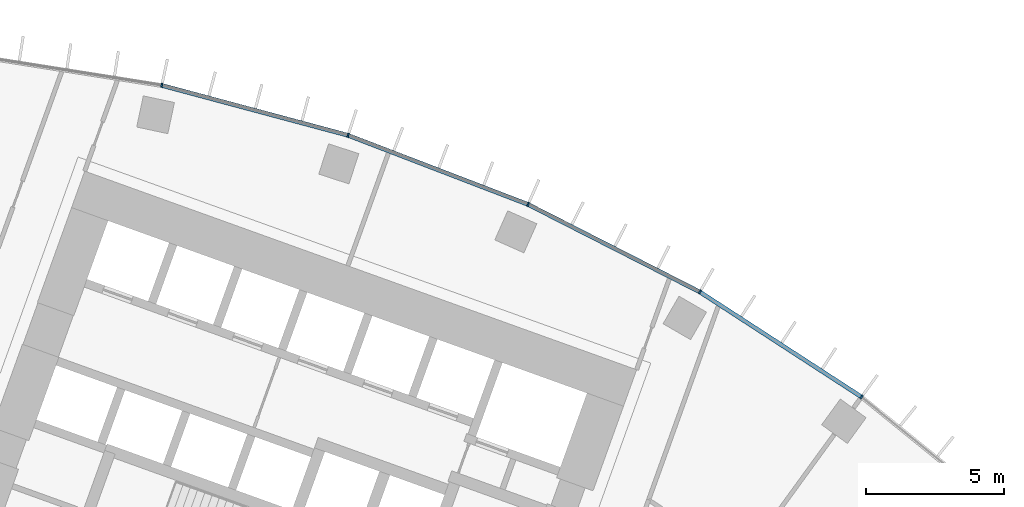
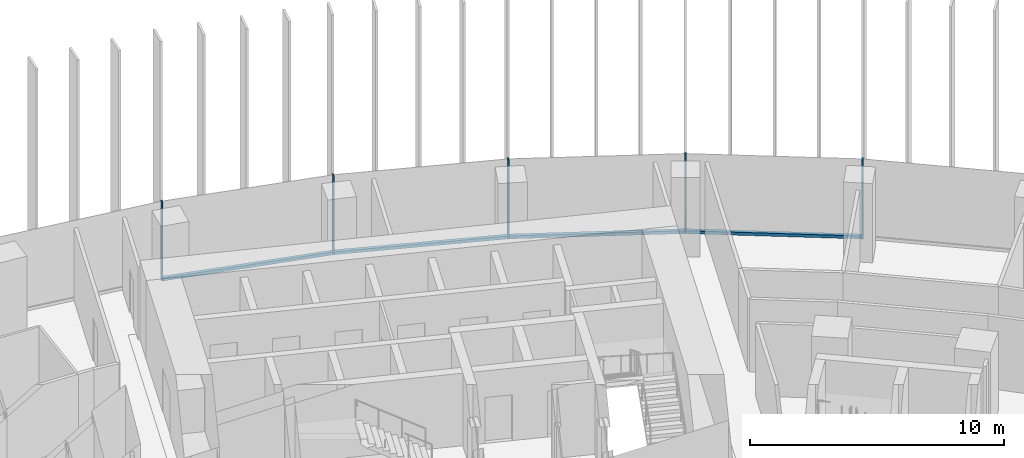
# One storey, part 10 of 21: 9 members, 1 element without a shape of its own.
"""IFC4 building model written with IfcOpenShell, lengths in metres."""

import ifcopenshell
import ifcopenshell.guid

model = None  # the IFC model being written
_history = None  # IfcOwnerHistory: only IFC2X3 demands one
_inside = {}  # id of a spatial element -> (the spatial element, [elements in it])
_under = {}  # id of a project, library or spatial element -> (it, [spatial elements below it])
_declared = {}  # id of a project -> (the project, [libraries it declares])
_typed = {}  # id of a type object -> (the type object, [elements of that type])
_made_of = {}  # id of a material, layer set ... -> (it, [elements and type objects made of it])


def new_model(schema):
    """Start an empty IFC model of exactly this schema.

    Asked for "IFC4X3", IfcOpenShell would pick the latest addendum, in which some entities
    have other attributes; the version numbers below select the first issue.
    IFC2X3 requires an IfcOwnerHistory on every rooted entity: one is made here for all.
    """
    global model, _history
    if schema == "IFC4X3":
        model = ifcopenshell.file(schema_version=(4, 3, 0, 0))
    else:
        model = ifcopenshell.file(schema=schema)
    _inside.clear()
    _under.clear()
    _declared.clear()
    _typed.clear()
    _made_of.clear()
    _history = None
    if model.schema == "IFC2X3":
        org = make("IfcOrganization", Name="unknown")
        user = make(
            "IfcPersonAndOrganization",
            ThePerson=make("IfcPerson", FamilyName="unknown"),
            TheOrganization=org,
        )
        app = make(
            "IfcApplication",
            ApplicationDeveloper=org,
            Version="unknown",
            ApplicationFullName="unknown",
            ApplicationIdentifier="unknown",
        )
        _history = make(
            "IfcOwnerHistory",
            OwningUser=user,
            OwningApplication=app,
            ChangeAction="ADDED",
            CreationDate=0,
        )
    return model


def make(cls, **values):
    """One entity of the class cls with the attributes given. An attribute that is None is left unset."""
    return model.create_entity(
        cls, **{name: value for name, value in values.items() if value is not None}
    )


def rooted(cls, **values):
    """An entity with a GlobalId (a new one), such as an element, a storey or a relation."""
    return make(cls, GlobalId=ifcopenshell.guid.new(), OwnerHistory=_history, **values)


def si_unit(unit_type, name, prefix=None):
    """IfcSIUnit, for example si_unit("LENGTHUNIT", "METRE", prefix="MILLI")."""
    return make("IfcSIUnit", UnitType=unit_type, Prefix=prefix, Name=name)


def assignment(units):
    """IfcUnitAssignment: the units of a project."""
    return None if units is None else make("IfcUnitAssignment", Units=units)


def point(xyz):
    """IfcCartesianPoint."""
    return None if xyz is None else make("IfcCartesianPoint", Coordinates=xyz)


def direction(xyz):
    """IfcDirection."""
    return None if xyz is None else make("IfcDirection", DirectionRatios=xyz)


def frame(location, z_axis=None, x_axis=None):
    """IfcAxis2Placement3D, a coordinate frame: its origin and axes. An axis left out is left unset."""
    return make(
        "IfcAxis2Placement3D",
        Location=point(location),
        Axis=direction(z_axis),
        RefDirection=direction(x_axis),
    )


def frame_2d(location, x_axis=None):
    """IfcAxis2Placement2D, a coordinate frame in the plane: its origin and x axis."""
    return make(
        "IfcAxis2Placement2D", Location=point(location), RefDirection=direction(x_axis)
    )


def origin():
    """The frame at (0, 0, 0) with its axes left unset."""
    return frame((0.0, 0.0, 0.0))


def origin_2d():
    """The frame at (0, 0) in the plane with its x axis left unset."""
    return frame_2d((0.0, 0.0))


def place(relative_to, where):
    """IfcLocalPlacement: puts the frame where relative to a parent placement (None: the world)."""
    return make(
        "IfcLocalPlacement", PlacementRelTo=relative_to, RelativePlacement=where
    )


def context(
    kind, dimensions, precision=None, world=None, true_north=None, identifier=None
):
    """IfcGeometricRepresentationContext, for example the 3D "Model" context."""
    return make(
        "IfcGeometricRepresentationContext",
        ContextIdentifier=identifier,
        ContextType=kind,
        CoordinateSpaceDimension=dimensions,
        Precision=precision,
        WorldCoordinateSystem=world,
        TrueNorth=true_north,
    )


def subcontext(parent, identifier, kind, view, scale=None):
    """IfcGeometricRepresentationSubContext, for example "Body" below "Model"."""
    return make(
        "IfcGeometricRepresentationSubContext",
        ContextIdentifier=identifier,
        ContextType=kind,
        ParentContext=parent,
        TargetScale=scale,
        TargetView=view,
    )


def project(units=None, contexts=None):
    """IfcProject with its units and contexts."""
    return rooted(
        "IfcProject",
        Name="project",
        RepresentationContexts=contexts,
        UnitsInContext=assignment(units),
    )


def spatial(cls, under=None, at=None, **own):
    """A site, building, storey or space (cls), placed at a placement, below another one or the project."""
    s = rooted(cls, ObjectPlacement=at, **own)
    if under is not None:
        _under.setdefault(under.id(), (under, []))[1].append(s)
    return s


def profile(cls, at=None, kind="AREA", **sizes):
    """A parametric profile (cls). Its sizes go by their IFC names, for example OverallWidth=200.0."""
    return make(cls, ProfileType=kind, Position=at, **sizes)


def rectangle(**sizes):
    """IfcRectangleProfileDef."""
    return profile("IfcRectangleProfileDef", **sizes)


def extrude(swept, where, along, depth):
    """IfcExtrudedAreaSolid: the profile swept, set in the frame where, extruded along a direction by depth."""
    return make(
        "IfcExtrudedAreaSolid",
        SweptArea=swept,
        Position=where,
        ExtrudedDirection=direction(along),
        Depth=depth,
    )


def shape(context_of_items, identifier, shape_type, items):
    """IfcShapeRepresentation: the items that make up one representation, for example the "Body"."""
    return make(
        "IfcShapeRepresentation",
        ContextOfItems=context_of_items,
        RepresentationIdentifier=identifier,
        RepresentationType=shape_type,
        Items=items,
    )


def material(Name=None, Category=None):
    """IfcMaterial."""
    return make("IfcMaterial", Name=Name, Category=Category)


def layer(
    of_material, thickness, ventilated=None, Name=None, Category=None, Priority=None
):
    """IfcMaterialLayer: one layer of a wall or slab, of a material (None: an air gap)."""
    return make(
        "IfcMaterialLayer",
        Material=of_material,
        LayerThickness=thickness,
        IsVentilated=ventilated,
        Name=Name,
        Category=Category,
        Priority=Priority,
    )


def layer_set(layers, Name=None):
    """IfcMaterialLayerSet."""
    return make("IfcMaterialLayerSet", MaterialLayers=layers, LayerSetName=Name)


def material_profile(
    of_material, cross_section, Name=None, Category=None, Priority=None
):
    """IfcMaterialProfile: a cross section and its material."""
    return make(
        "IfcMaterialProfile",
        Name=Name,
        Material=of_material,
        Profile=cross_section,
        Priority=Priority,
        Category=Category,
    )


def profile_set(profiles, Name=None, composite=None):
    """IfcMaterialProfileSet."""
    return make(
        "IfcMaterialProfileSet",
        Name=Name,
        MaterialProfiles=profiles,
        CompositeProfile=composite,
    )


def made_of(thing, what):
    """Note that an element or type object is made of a material, layer set ...; save() writes the relation."""
    if what is not None:
        _made_of.setdefault(what.id(), (what, []))[1].append(thing)
    return thing


def type_object(cls, material=None, **own):
    """A type object (cls), such as IfcWallType, which elements share."""
    return made_of(rooted(cls, **own), material)


def element(
    cls,
    number,
    at=None,
    inside=None,
    cuts=None,
    type_object=None,
    material=None,
    context=None,
    identifier="Body",
    shape_type=None,
    held_by="IfcProductDefinitionShape",
    body=None,
    shapes=None,
    **own,
):
    """One element of the class cls, such as IfcWall. Its Tag is "e" and its number.

    at: its placement. inside: the storey or other place that contains it. cuts: it is an
    opening in that element (IfcRelVoidsElement). A single representation is given by context,
    identifier, shape_type and body (its items); several are given by shapes. held_by: the class
    of the entity that holds the representations. save() writes the other relations.
    """
    e = rooted(cls, Tag="e%d" % number, ObjectPlacement=at, **own)
    if body is not None:
        shapes = [shape(context, identifier, shape_type, body)]
    if shapes is not None:
        e.Representation = make(held_by, Representations=shapes)
    if inside is not None:
        _inside.setdefault(inside.id(), (inside, []))[1].append(e)
    if cuts is not None:
        rooted(
            "IfcRelVoidsElement", RelatingBuildingElement=cuts, RelatedOpeningElement=e
        )
    if type_object is not None:
        _typed.setdefault(type_object.id(), (type_object, []))[1].append(e)
    return made_of(e, material)


def aggregate(whole, parts):
    """IfcRelAggregates: a whole, such as a stair, and the parts it consists of."""
    return rooted("IfcRelAggregates", RelatingObject=whole, RelatedObjects=parts)


def save(model, path):
    """Write the relations noted so far, then the file.

    IfcRelAggregates (storeys below a building ...), IfcRelContainedInSpatialStructure (elements
    in a storey), IfcRelDefinesByType, IfcRelAssociatesMaterial and IfcRelDeclares: one each for
    every whole, place, type object, material and project.
    """
    for whole, parts in _under.values():
        aggregate(whole, parts)
    for where, things in _inside.values():
        rooted(
            "IfcRelContainedInSpatialStructure",
            RelatedElements=things,
            RelatingStructure=where,
        )
    for kind, things in _typed.values():
        rooted("IfcRelDefinesByType", RelatedObjects=things, RelatingType=kind)
    for what, things in _made_of.values():
        rooted("IfcRelAssociatesMaterial", RelatedObjects=things, RelatingMaterial=what)
    for by, libraries in _declared.values():
        rooted("IfcRelDeclares", RelatingContext=by, RelatedDefinitions=libraries)
    model.write(path)


model = new_model("IFC4")

# Units and contexts
model_context = context("Model", 3, precision=1e-05, world=origin(), true_north=direction((0.0, 1.0)))
body_context = subcontext(model_context, "Body", "Model", "MODEL_VIEW")
ifc_project = project(units=[si_unit("LENGTHUNIT", "METRE"), si_unit("AREAUNIT", "SQUARE_METRE"), si_unit("VOLUMEUNIT", "CUBIC_METRE"), si_unit("PLANEANGLEUNIT", "RADIAN"), si_unit("MASSUNIT", "GRAM", prefix="KILO")], contexts=[model_context])

# Site, building, storey
site_placement = place(None, origin())
site = spatial("IfcSite", under=ifc_project, at=site_placement, CompositionType="ELEMENT")
building_placement = place(site_placement, origin())
building = spatial("IfcBuilding", under=site, at=building_placement, Name="Stone Belt Terrace Tower", CompositionType="ELEMENT")
storey_placement = place(building_placement, frame((0.0, 0.0, 87.0)))
storey = spatial("IfcBuildingStorey", under=building, at=storey_placement, Name="L20", CompositionType="ELEMENT", Elevation=87.0)

# Curtain wall, members
ifc_material = material(Name="Aluminium 6063-T6 anodised frame", Category="aluminium")
ifc_layer = layer(ifc_material, 0.14990234375)
ifc_layer_set = layer_set([ifc_layer], Name="CW-A unitised convex-face curtain wall")
curtain_wall_type = type_object("IfcCurtainWallType", Name="CW-A unitised convex-face curtain wall", PredefinedType="NOTDEFINED", material=ifc_layer_set)
curtain_wall_placement = place(storey_placement, origin())
curtain_wall = element("IfcCurtainWall", 1, at=curtain_wall_placement, inside=storey, type_object=curtain_wall_type, Name="CW-A convex face L20", PredefinedType="NOTDEFINED")
ifc_material_profile_1 = material_profile(ifc_material, rectangle(XDim=0.14990234375, YDim=0.06005859375, at=origin_2d()), Name="Aluminium 6063-T6 60x150")
ifc_profile_set_1 = profile_set([ifc_material_profile_1], Name="Aluminium 6063-T6 anodised frame")
member_type_1 = type_object("IfcMemberType", Name="CW-A mullion 60 x 150", PredefinedType="MULLION", material=ifc_profile_set_1)
member_1_placement = place(storey_placement, frame((39.1318359375, 53.8603515625, 0.0), z_axis=(0.0, 0.0, 1.0), x_axis=(-0.587785252292, -0.809016994375, 0.0)))
member_1 = element("IfcMember", 2, at=member_1_placement, type_object=member_type_1, Name="CW-A mullion 4", PredefinedType="MULLION", context=body_context, shape_type="SweptSolid", body=[
    extrude(rectangle(XDim=0.14990234375, YDim=0.06005859375, at=origin_2d()), origin(), (0.0, 0.0, 1.0), 3.800048828125),
])
member_2_placement = place(storey_placement, frame((33.28759765625, 57.65576171875, 0.0), z_axis=(0.0, 0.0, 1.0), x_axis=(-0.5, -0.866025403784, 0.0)))
member_2 = element("IfcMember", 3, at=member_2_placement, type_object=member_type_1, Name="CW-A mullion 5", PredefinedType="MULLION", context=body_context, shape_type="SweptSolid", body=[
    extrude(rectangle(XDim=0.14990234375, YDim=0.06005859375, at=origin_2d()), origin(), (0.0, 0.0, 1.0), 3.800048828125),
])
member_3_placement = place(storey_placement, frame((27.07861328125, 60.8193359375, 0.0), z_axis=(0.0, 0.0, 1.0), x_axis=(-0.406736643076, -0.913545457643, 0.0)))
member_3 = element("IfcMember", 4, at=member_3_placement, type_object=member_type_1, Name="CW-A mullion 6", PredefinedType="MULLION", context=body_context, shape_type="SweptSolid", body=[
    extrude(rectangle(XDim=0.14990234375, YDim=0.06005859375, at=origin_2d()), origin(), (0.0, 0.0, 1.0), 3.800048828125),
])
member_4_placement = place(storey_placement, frame((20.57275390625, 63.316650390625, 0.0), z_axis=(0.0, 0.0, 1.0), x_axis=(-0.309016994375, -0.951056516295, 0.0)))
member_4 = element("IfcMember", 5, at=member_4_placement, type_object=member_type_1, Name="CW-A mullion 7", PredefinedType="MULLION", context=body_context, shape_type="SweptSolid", body=[
    extrude(rectangle(XDim=0.14990234375, YDim=0.06005859375, at=origin_2d()), origin(), (0.0, 0.0, 1.0), 3.800048828125),
])
member_5_placement = place(storey_placement, frame((13.841796875, 65.120361328125, 0.0), z_axis=(0.0, 0.0, 1.0), x_axis=(-0.207911690818, -0.978147600734, 0.0)))
member_5 = element("IfcMember", 6, at=member_5_placement, type_object=member_type_1, Name="CW-A mullion 8", PredefinedType="MULLION", context=body_context, shape_type="SweptSolid", body=[
    extrude(rectangle(XDim=0.14990234375, YDim=0.06005859375, at=origin_2d()), origin(), (0.0, 0.0, 1.0), 3.800048828125),
])
ifc_material_profile_2 = material_profile(ifc_material, rectangle(XDim=0.14990234375, YDim=0.139892578125, at=origin_2d()), Name="Aluminium 6063-T6 150x140")
ifc_profile_set_2 = profile_set([ifc_material_profile_2], Name="Aluminium 6063-T6 anodised frame")
member_type_2 = type_object("IfcMemberType", Name="CW-A transom 140 x 150", PredefinedType="USERDEFINED", material=ifc_profile_set_2)
member_6_placement = place(storey_placement, frame((39.103515625, 53.87890625, 0.070068359375), z_axis=(-0.83868440714, 0.544617723931, 0.0), x_axis=(-0.544617723931, -0.83868440714, 0.0)))
member_6 = element("IfcMember", 7, at=member_6_placement, type_object=member_type_2, Name="CW-A transom 4.1", ObjectType="TRANSOM", PredefinedType="USERDEFINED", context=body_context, shape_type="SweptSolid", body=[
    extrude(rectangle(XDim=0.14990234375, YDim=0.139892578125, at=origin_2d()), origin(), (0.0, 0.0, 1.0), 6.90087890625),
])
member_7_placement = place(storey_placement, frame((33.25732421875, 57.671142578125, 0.070068359375), z_axis=(-0.891012226264, 0.453979308613, 0.0), x_axis=(-0.453979308613, -0.891012226264, 0.0)))
member_7 = element("IfcMember", 8, at=member_7_placement, type_object=member_type_2, Name="CW-A transom 5.1", ObjectType="TRANSOM", PredefinedType="USERDEFINED", context=body_context, shape_type="SweptSolid", body=[
    extrude(rectangle(XDim=0.14990234375, YDim=0.139892578125, at=origin_2d()), origin(), (0.0, 0.0, 1.0), 6.90087890625),
])
member_8_placement = place(storey_placement, frame((27.046875, 60.83154296875, 0.070068359375), z_axis=(-0.933585210269, 0.358355487146, 0.0), x_axis=(-0.358355487146, -0.933585210269, 0.0)))
member_8 = element("IfcMember", 9, at=member_8_placement, type_object=member_type_2, Name="CW-A transom 6.1", ObjectType="TRANSOM", PredefinedType="USERDEFINED", context=body_context, shape_type="SweptSolid", body=[
    extrude(rectangle(XDim=0.14990234375, YDim=0.139892578125, at=origin_2d()), origin(), (0.0, 0.0, 1.0), 6.900634765625),
])
member_9_placement = place(storey_placement, frame((20.5400390625, 63.325439453125, 0.070068359375), z_axis=(-0.965921835863, 0.258833937117, 0.0), x_axis=(-0.258833937117, -0.965921835863, 0.0)))
member_9 = element("IfcMember", 10, at=member_9_placement, type_object=member_type_2, Name="CW-A transom 7.1", ObjectType="TRANSOM", PredefinedType="USERDEFINED", context=body_context, shape_type="SweptSolid", body=[
    extrude(rectangle(XDim=0.14990234375, YDim=0.139892578125, at=origin_2d()), origin(), (0.0, 0.0, 1.0), 6.900634765625),
])
aggregate(curtain_wall, [member_1, member_2, member_3, member_4, member_5, member_6, member_7, member_8, member_9])

save(model, "model.ifc")
